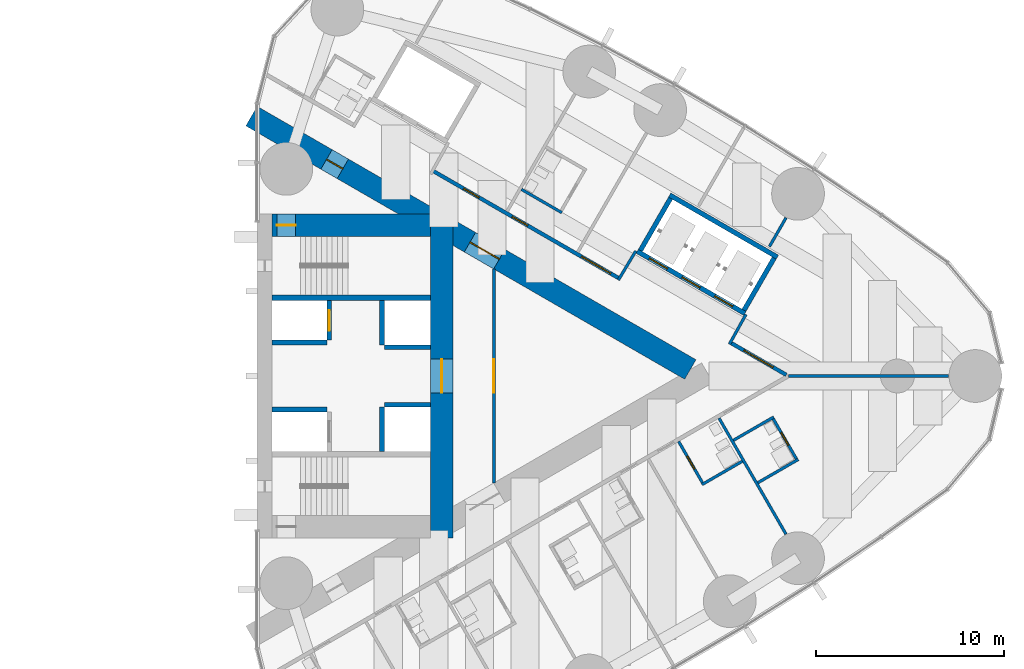
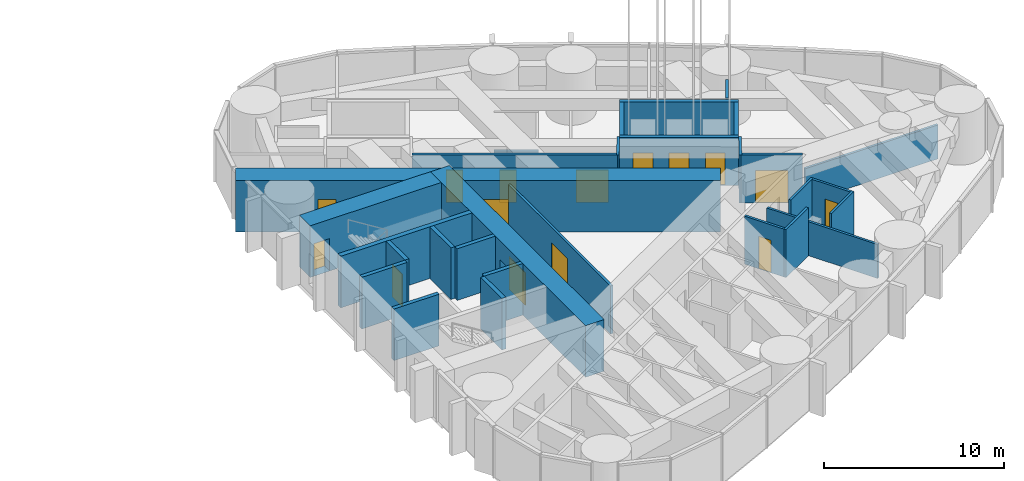
# One storey, part 15 of 21: 29 walls, 15 doors, 15 openings.
"""IFC4 building model written with IfcOpenShell, lengths in metres."""

from ifc_helpers import new_model, si_unit, direction, frame, frame_2d, origin, place, context, subcontext, project, spatial, rectangle, extrude, material, layer, layer_set, type_object, element, fill, save


model = new_model("IFC4")

# Units and contexts
model_context = context("Model", 3, precision=1e-05, world=origin(), true_north=direction((0.0, 1.0)))
body_context = subcontext(model_context, "Body", "Model", "MODEL_VIEW")
ifc_project = project(units=[si_unit("LENGTHUNIT", "METRE"), si_unit("AREAUNIT", "SQUARE_METRE"), si_unit("VOLUMEUNIT", "CUBIC_METRE"), si_unit("PLANEANGLEUNIT", "RADIAN"), si_unit("MASSUNIT", "GRAM", prefix="KILO")], contexts=[model_context])

# Site, building, storey
site_placement = place(None, origin())
site = spatial("IfcSite", under=ifc_project, at=site_placement, CompositionType="ELEMENT")
building_placement = place(site_placement, origin())
building = spatial("IfcBuilding", under=site, at=building_placement, Name="Lancet Gate Hotel", CompositionType="ELEMENT")
storey_placement = place(building_placement, frame((0.0, 0.0, 156.300048828125)))
storey = spatial("IfcBuildingStorey", under=building, at=storey_placement, Name="L41", CompositionType="ELEMENT", Elevation=156.300048828125)

# Wall
ifc_material_1 = material(Name="Moisture resistant board partition")
ifc_layer_1 = layer(ifc_material_1, 0.14990234375)
ifc_layer_set_1 = layer_set([ifc_layer_1], Name="Bathroom wall 150")
wall_type_1 = type_object("IfcWallType", Name="Bathroom wall 150", PredefinedType="PARTITIONING", material=ifc_layer_set_1)
wall_1_placement = place(storey_placement, frame((51.116943359375, -5.76513671875, 0.0), z_axis=(0.0, 0.0, 1.0), x_axis=(0.866006523861, 0.500032699561, 0.0)))
element("IfcWall", 1, at=wall_1_placement, inside=storey, type_object=wall_type_1, Name="T2 bathroom wall 150 L41", PredefinedType="PARTITIONING", context=body_context, shape_type="SweptSolid", body=[
    extrude(rectangle(XDim=2.474853515625, YDim=0.14990234375, at=frame_2d((1.2373046875, 0.0))), origin(), (0.0, 0.0, 1.0), 3.25),
])

# Wall, opening, door
wall_2_placement = place(storey_placement, frame((49.8818359375, -3.475830078125, 0.0), z_axis=(0.0, 0.0, 1.0), x_axis=(0.500006934395, -0.866021400173, 0.0)))
wall_2 = element("IfcWall", 2, at=wall_2_placement, inside=storey, type_object=wall_type_1, Name="T2 bathroom wall 150 L41", PredefinedType="PARTITIONING", context=body_context, shape_type="SweptSolid", body=[
    extrude(rectangle(XDim=2.60009765625, YDim=0.14990234375, at=frame_2d((1.300048828125, 0.0))), origin(), (0.0, 0.0, 1.0), 3.25),
])
opening_1_placement = place(wall_2_placement, frame((0.89990234375, 0.0, 0.0)))
opening_1 = element("IfcOpeningElement", 3, at=opening_1_placement, cuts=wall_2, Name="Opening 4156-B", PredefinedType="OPENING", context=body_context, shape_type="SweptSolid", body=[
    extrude(rectangle(XDim=0.800048828125, YDim=2.199951171875, at=frame_2d((0.39990234375, 1.10009765625))), frame((0.0, 0.0849609375, 0.0), z_axis=(0.0, -1.0, 0.0), x_axis=(1.0, 0.0, 0.0)), (0.0, 0.0, 1.0), 0.169921875),
])
ifc_material_2 = material(Name="Timber door set", Category="wood")
door_type_1 = type_object("IfcDoorType", Name="Bathroom door 800", OperationType="SINGLE_SWING_RIGHT", PredefinedType="DOOR", material=ifc_material_2)
door_1_placement = place(opening_1_placement, origin())
door_1 = element("IfcDoor", 4, at=door_1_placement, inside=storey, type_object=door_type_1, Name="4156-B", OperationType="SINGLE_SWING_RIGHT", OverallHeight=2.199951171875, OverallWidth=0.800048828125, PredefinedType="DOOR", context=body_context, shape_type="SweptSolid", body=[
    extrude(rectangle(XDim=0.800048828125, YDim=2.199951171875, at=frame_2d((0.39990234375, 1.10009765625))), frame((0.0, 0.02490234375, 0.0), z_axis=(0.0, -1.0, 0.0), x_axis=(1.0, 0.0, 0.0)), (0.0, 0.0, 1.0), 0.050048828125),
])
fill(opening_1, door_1)

# Wall
wall_3_placement = place(storey_placement, frame((54.09033203125, -5.6650390625, 0.0), z_axis=(0.0, 0.0, 1.0), x_axis=(0.866006523861, 0.500032699561, 0.0)))
element("IfcWall", 5, at=wall_3_placement, inside=storey, type_object=wall_type_1, Name="T2 bathroom wall 150 L41", PredefinedType="PARTITIONING", context=body_context, shape_type="SweptSolid", body=[
    extrude(rectangle(XDim=2.474853515625, YDim=0.14990234375, at=frame_2d((1.2373046875, 0.0))), origin(), (0.0, 0.0, 1.0), 3.25),
])

# Wall, opening, door
wall_4_placement = place(storey_placement, frame((54.86865234375, -2.21337890625, 0.0), z_axis=(0.0, 0.0, 1.0), x_axis=(0.500047596559, -0.865997922154, 0.0)))
wall_4 = element("IfcWall", 6, at=wall_4_placement, inside=storey, type_object=wall_type_1, Name="T2 bathroom wall 150 L41", PredefinedType="PARTITIONING", context=body_context, shape_type="SweptSolid", body=[
    extrude(rectangle(XDim=2.599853515625, YDim=0.14990234375, at=frame_2d((1.2998046875, 0.0))), origin(), (0.0, 0.0, 1.0), 3.25),
])
opening_2_placement = place(wall_4_placement, frame((0.89990234375, 0.0, 0.0)))
opening_2 = element("IfcOpeningElement", 7, at=opening_2_placement, cuts=wall_4, Name="Opening 4157-B", PredefinedType="OPENING", context=body_context, shape_type="SweptSolid", body=[
    extrude(rectangle(XDim=0.800048828125, YDim=2.199951171875, at=frame_2d((0.39990234375, 1.10009765625))), frame((0.0, 0.0849609375, 0.0), z_axis=(0.0, -1.0, 0.0), x_axis=(1.0, 0.0, 0.0)), (0.0, 0.0, 1.0), 0.169921875),
])
door_2_placement = place(opening_2_placement, origin())
door_2 = element("IfcDoor", 8, at=door_2_placement, inside=storey, type_object=door_type_1, Name="4157-B", OperationType="SINGLE_SWING_RIGHT", OverallHeight=2.199951171875, OverallWidth=0.800048828125, PredefinedType="DOOR", context=body_context, shape_type="SweptSolid", body=[
    extrude(rectangle(XDim=0.800048828125, YDim=2.199951171875, at=frame_2d((0.39990234375, 1.10009765625))), frame((0.0, 0.02490234375, 0.0), z_axis=(0.0, -1.0, 0.0), x_axis=(1.0, 0.0, 0.0)), (0.0, 0.0, 1.0), 0.050048828125),
])
fill(opening_2, door_2)

# Walls
wall_5_placement = place(storey_placement, frame((52.790283203125, -3.413330078125, 0.0), z_axis=(0.0, 0.0, 1.0), x_axis=(0.866006523861, 0.500032699561, 0.0)))
element("IfcWall", 9, at=wall_5_placement, inside=storey, type_object=wall_type_1, Name="T2 bathroom wall 150 L41", PredefinedType="PARTITIONING", context=body_context, shape_type="SweptSolid", body=[
    extrude(rectangle(XDim=2.474853515625, YDim=0.14990234375, at=frame_2d((1.2373046875, 0.0))), origin(), (0.0, 0.0, 1.0), 3.25),
])
wall_6_placement = place(storey_placement, frame((41.5341796875, 9.911865234375, 0.0), z_axis=(0.0, 0.0, 1.0), x_axis=(0.866031185235, -0.4999899861, 0.0)))
element("IfcWall", 10, at=wall_6_placement, inside=storey, type_object=wall_type_1, Name="T2 bathroom wall 150 L41", PredefinedType="PARTITIONING", context=body_context, shape_type="SweptSolid", body=[
    extrude(rectangle(XDim=2.47509765625, YDim=0.14990234375, at=frame_2d((1.237548828125, 0.0))), origin(), (0.0, 0.0, 1.0), 2.449951171875),
])

# Wall, openings, doors
ifc_material_3 = material(Name="Concrete C70/85", Category="concrete")
ifc_layer_2 = layer(ifc_material_3, 1.199951171875)
ifc_layer_set_2 = layer_set([ifc_layer_2], Name="Buttress wall 1200")
wall_type_2 = type_object("IfcWallType", Name="Buttress wall 1200", PredefinedType="SHEAR", material=ifc_layer_set_2)
wall_7_placement = place(storey_placement, frame((27.199951171875, 13.800048828125, 0.0), z_axis=(0.0, 0.0, 1.0), x_axis=(0.866024515034, -0.500001539357, 0.0)))
wall_7 = element("IfcWall", 11, at=wall_7_placement, inside=storey, type_object=wall_type_2, Name="T2 buttress wall N L41", PredefinedType="SHEAR", context=body_context, shape_type="SweptSolid", body=[
    extrude(rectangle(XDim=26.9072265625, YDim=1.199951171875, at=frame_2d((13.45361328125, 0.0))), origin(), (0.0, 0.0, 1.0), 3.5),
])
opening_3_placement = place(wall_7_placement, frame((4.60009765625, 0.0, 0.0)))
opening_3 = element("IfcOpeningElement", 12, at=opening_3_placement, cuts=wall_7, Name="Opening T2-L41-LN", PredefinedType="OPENING", context=body_context, shape_type="SweptSolid", body=[
    extrude(rectangle(XDim=1.0, YDim=2.199951171875, at=frame_2d((0.5, 1.10009765625))), frame((0.0, 0.60986328125, 0.0), z_axis=(0.0, -1.0, 0.0), x_axis=(1.0, 0.0, 0.0)), (0.0, 0.0, 1.0), 1.219970703125),
])
opening_4_placement = place(wall_7_placement, frame((13.39453125, 0.0, 0.0)))
opening_4 = element("IfcOpeningElement", 13, at=opening_4_placement, cuts=wall_7, Name="Opening T2-L41-LHN", PredefinedType="OPENING", context=body_context, shape_type="SweptSolid", body=[
    extrude(rectangle(XDim=1.800048828125, YDim=2.199951171875, at=frame_2d((0.89990234375, 1.10009765625))), frame((0.0, 0.60986328125, 0.0), z_axis=(0.0, -1.0, 0.0), x_axis=(1.0, 0.0, 0.0)), (0.0, 0.0, 1.0), 1.219970703125),
])
ifc_material_4 = material(Name="Timber door set", Category="wood")
door_type_2 = type_object("IfcDoorType", Name="Lobby double door 1800", OperationType="DOUBLE_DOOR_SINGLE_SWING", PredefinedType="DOOR", material=ifc_material_4)
door_3_placement = place(opening_4_placement, origin())
door_3 = element("IfcDoor", 14, at=door_3_placement, inside=storey, type_object=door_type_2, Name="T2-L41-LHN", OperationType="DOUBLE_DOOR_SINGLE_SWING", OverallHeight=2.199951171875, OverallWidth=1.800048828125, PredefinedType="DOOR", context=body_context, shape_type="SweptSolid", body=[
    extrude(rectangle(XDim=1.800048828125, YDim=2.199951171875, at=frame_2d((0.89990234375, 1.10009765625))), frame((0.0, 0.02490234375, 0.0), z_axis=(0.0, -1.0, 0.0), x_axis=(1.0, 0.0, 0.0)), (0.0, 0.0, 1.0), 0.050048828125),
])
fill(opening_4, door_3)
ifc_material_5 = material(Name="Timber door set", Category="wood")
door_type_3 = type_object("IfcDoorType", Name="Stair lobby door 1000", OperationType="SINGLE_SWING_LEFT", PredefinedType="DOOR", material=ifc_material_5)
door_4_placement = place(opening_3_placement, origin())
door_4 = element("IfcDoor", 15, at=door_4_placement, inside=storey, type_object=door_type_3, Name="T2-L41-LN", OperationType="SINGLE_SWING_LEFT", OverallHeight=2.199951171875, OverallWidth=1.0, PredefinedType="DOOR", context=body_context, shape_type="SweptSolid", body=[
    extrude(rectangle(XDim=1.0, YDim=2.199951171875, at=frame_2d((0.5, 1.10009765625))), frame((0.0, 0.02490234375, 0.0), z_axis=(0.0, -1.0, 0.0), x_axis=(1.0, 0.0, 0.0)), (0.0, 0.0, 1.0), 0.050048828125),
])
fill(opening_3, door_4)

# Wall, opening, door
ifc_material_6 = material(Name="Concrete C70/85", Category="concrete")
ifc_layer_3 = layer(ifc_material_6, 1.199951171875)
ifc_layer_set_3 = layer_set([ifc_layer_3], Name="Core wall 1200")
wall_type_3 = type_object("IfcWallType", Name="Core wall 1200", PredefinedType="SHEAR", material=ifc_layer_set_3)
wall_8_placement = place(storey_placement, frame((37.300048828125, -8.60009765625, 0.0), z_axis=(0.0, 0.0, 1.0), x_axis=(0.0, 1.0, 0.0)))
wall_8 = element("IfcWall", 16, at=wall_8_placement, inside=storey, type_object=wall_type_3, Name="T2 core wall back L41", PredefinedType="SHEAR", context=body_context, shape_type="SweptSolid", body=[
    extrude(rectangle(XDim=17.2001953125, YDim=1.199951171875, at=frame_2d((8.60009765625, 0.0))), origin(), (0.0, 0.0, 1.0), 3.5),
])
opening_5_placement = place(wall_8_placement, frame((7.699951171875, 0.0, 0.0)))
opening_5 = element("IfcOpeningElement", 17, at=opening_5_placement, cuts=wall_8, Name="Opening T2-L41-LL", PredefinedType="OPENING", context=body_context, shape_type="SweptSolid", body=[
    extrude(rectangle(XDim=1.800048828125, YDim=2.199951171875, at=frame_2d((0.89990234375, 1.10009765625))), frame((0.0, 0.60986328125, 0.0), z_axis=(0.0, -1.0, 0.0), x_axis=(1.0, 0.0, 0.0)), (0.0, 0.0, 1.0), 1.219970703125),
])
door_5_placement = place(opening_5_placement, origin())
door_5 = element("IfcDoor", 18, at=door_5_placement, inside=storey, type_object=door_type_2, Name="T2-L41-LL", OperationType="DOUBLE_DOOR_SINGLE_SWING", OverallHeight=2.199951171875, OverallWidth=1.800048828125, PredefinedType="DOOR", context=body_context, shape_type="SweptSolid", body=[
    extrude(rectangle(XDim=1.800048828125, YDim=2.199951171875, at=frame_2d((0.89990234375, 1.10009765625))), frame((0.0, 0.02490234375, 0.0), z_axis=(0.0, -1.0, 0.0), x_axis=(1.0, 0.0, 0.0)), (0.0, 0.0, 1.0), 0.050048828125),
])
fill(opening_5, door_5)

wall_9_placement = place(storey_placement, frame((28.300048828125, 8.0, 0.0), z_axis=(0.0, 0.0, 1.0), x_axis=(1.0, 0.0, 0.0)))
wall_9 = element("IfcWall", 19, at=wall_9_placement, inside=storey, type_object=wall_type_3, Name="T2 core wall side-N L41", PredefinedType="SHEAR", context=body_context, shape_type="SweptSolid", body=[
    extrude(rectangle(XDim=8.39990234375, YDim=1.199951171875, at=frame_2d((4.199951171875, 0.0))), origin(), (0.0, 0.0, 1.0), 3.5),
])
opening_6_placement = place(wall_9_placement, frame((0.25, 0.0, 0.0)))
opening_6 = element("IfcOpeningElement", 20, at=opening_6_placement, cuts=wall_9, Name="Opening T2-L41-ST2", PredefinedType="OPENING", context=body_context, shape_type="SweptSolid", body=[
    extrude(rectangle(XDim=1.0, YDim=2.199951171875, at=frame_2d((0.5, 1.10009765625))), frame((0.0, 0.60986328125, 0.0), z_axis=(0.0, -1.0, 0.0), x_axis=(1.0, 0.0, 0.0)), (0.0, 0.0, 1.0), 1.219970703125),
])
ifc_material_7 = material(Name="Timber door set", Category="wood")
door_type_4 = type_object("IfcDoorType", Name="Stair door 1000", OperationType="SINGLE_SWING_RIGHT", PredefinedType="DOOR", material=ifc_material_7)
door_6_placement = place(opening_6_placement, origin())
door_6 = element("IfcDoor", 21, at=door_6_placement, inside=storey, type_object=door_type_4, Name="T2-L41-ST2", OperationType="SINGLE_SWING_RIGHT", OverallHeight=2.199951171875, OverallWidth=1.0, PredefinedType="DOOR", context=body_context, shape_type="SweptSolid", body=[
    extrude(rectangle(XDim=1.0, YDim=2.199951171875, at=frame_2d((0.5, 1.10009765625))), frame((0.0, 0.02490234375, 0.0), z_axis=(0.0, -1.0, 0.0), x_axis=(1.0, 0.0, 0.0)), (0.0, 0.0, 1.0), 0.050048828125),
])
fill(opening_6, door_6)

# Wall, openings, doors
ifc_material_8 = material(Name="Gypsum board partition")
ifc_layer_4 = layer(ifc_material_8, 0.199951171875)
ifc_layer_set_4 = layer_set([ifc_layer_4], Name="Corridor wall 200")
wall_type_4 = type_object("IfcWallType", Name="Corridor wall 200", PredefinedType="PARTITIONING", material=ifc_layer_set_4)
wall_10_placement = place(storey_placement, frame((36.833984375, 10.8935546875, 0.0), z_axis=(0.0, 0.0, 1.0), x_axis=(0.866031655879, -0.499989170898, 0.0)))
wall_10 = element("IfcWall", 22, at=wall_10_placement, inside=storey, type_object=wall_type_4, Name="T2 corridor wall 200 L41", PredefinedType="PARTITIONING", context=body_context, shape_type="SweptSolid", body=[
    extrude(rectangle(XDim=11.409912109375, YDim=0.199951171875, at=frame_2d((5.705078125, 0.0))), origin(), (0.0, 0.0, 1.0), 3.25),
])
opening_7_placement = place(wall_10_placement, frame((4.861328125, 0.0, 0.0)))
opening_7 = element("IfcOpeningElement", 23, at=opening_7_placement, cuts=wall_10, Name="Opening 4161-E", PredefinedType="OPENING", context=body_context, shape_type="SweptSolid", body=[
    extrude(rectangle(XDim=0.949951171875, YDim=2.199951171875, at=frame_2d((0.47509765625, 1.10009765625))), frame((0.0, 0.10986328125, 0.0), z_axis=(0.0, -1.0, 0.0), x_axis=(1.0, 0.0, 0.0)), (0.0, 0.0, 1.0), 0.219970703125),
])
opening_8_placement = place(wall_10_placement, frame((1.880615234375, 0.0, 0.0)))
opening_8 = element("IfcOpeningElement", 24, at=opening_8_placement, cuts=wall_10, Name="Opening 4162-E", PredefinedType="OPENING", context=body_context, shape_type="SweptSolid", body=[
    extrude(rectangle(XDim=0.949951171875, YDim=2.199951171875, at=frame_2d((0.47509765625, 1.10009765625))), frame((0.0, 0.10986328125, 0.0), z_axis=(0.0, -1.0, 0.0), x_axis=(1.0, 0.0, 0.0)), (0.0, 0.0, 1.0), 0.219970703125),
])
opening_9_placement = place(wall_10_placement, frame((9.101806640625, 0.0, 0.0)))
opening_9 = element("IfcOpeningElement", 25, at=opening_9_placement, cuts=wall_10, Name="Opening T2-L41-LO2", PredefinedType="OPENING", context=body_context, shape_type="SweptSolid", body=[
    extrude(rectangle(XDim=1.800048828125, YDim=2.199951171875, at=frame_2d((0.89990234375, 1.10009765625))), frame((0.0, 0.10986328125, 0.0), z_axis=(0.0, -1.0, 0.0), x_axis=(1.0, 0.0, 0.0)), (0.0, 0.0, 1.0), 0.219970703125),
])
ifc_material_9 = material(Name="Timber door set", Category="wood")
door_type_5 = type_object("IfcDoorType", Name="Double door 1800", OperationType="DOUBLE_DOOR_SINGLE_SWING", PredefinedType="DOOR", material=ifc_material_9)
door_7_placement = place(opening_9_placement, origin())
door_7 = element("IfcDoor", 26, at=door_7_placement, inside=storey, type_object=door_type_5, Name="T2-L41-LO2", OperationType="DOUBLE_DOOR_SINGLE_SWING", OverallHeight=2.199951171875, OverallWidth=1.800048828125, PredefinedType="DOOR", context=body_context, shape_type="SweptSolid", body=[
    extrude(rectangle(XDim=1.800048828125, YDim=2.199951171875, at=frame_2d((0.89990234375, 1.10009765625))), frame((0.0, 0.02490234375, 0.0), z_axis=(0.0, -1.0, 0.0), x_axis=(1.0, 0.0, 0.0)), (0.0, 0.0, 1.0), 0.050048828125),
])
fill(opening_9, door_7)
ifc_material_10 = material(Name="Timber door set", Category="wood")
door_type_6 = type_object("IfcDoorType", Name="Guest room entry door 950", OperationType="SINGLE_SWING_LEFT", PredefinedType="DOOR", material=ifc_material_10)
door_8_placement = place(opening_7_placement, origin())
door_8 = element("IfcDoor", 27, at=door_8_placement, inside=storey, type_object=door_type_6, Name="4161-E", OperationType="SINGLE_SWING_LEFT", OverallHeight=2.199951171875, OverallWidth=0.949951171875, PredefinedType="DOOR", context=body_context, shape_type="SweptSolid", body=[
    extrude(rectangle(XDim=0.949951171875, YDim=2.199951171875, at=frame_2d((0.47509765625, 1.10009765625))), frame((0.0, 0.02490234375, 0.0), z_axis=(0.0, -1.0, 0.0), x_axis=(1.0, 0.0, 0.0)), (0.0, 0.0, 1.0), 0.050048828125),
])
fill(opening_7, door_8)
door_9_placement = place(opening_8_placement, origin())
door_9 = element("IfcDoor", 28, at=door_9_placement, inside=storey, type_object=door_type_6, Name="4162-E", OperationType="SINGLE_SWING_LEFT", OverallHeight=2.199951171875, OverallWidth=0.949951171875, PredefinedType="DOOR", context=body_context, shape_type="SweptSolid", body=[
    extrude(rectangle(XDim=0.949951171875, YDim=2.199951171875, at=frame_2d((0.47509765625, 1.10009765625))), frame((0.0, 0.02490234375, 0.0), z_axis=(0.0, -1.0, 0.0), x_axis=(1.0, 0.0, 0.0)), (0.0, 0.0, 1.0), 0.050048828125),
])
fill(opening_8, door_9)

# Wall, opening, door
wall_11_placement = place(storey_placement, frame((52.63916015625, 1.7685546875, 0.0), z_axis=(0.0, 0.0, 1.0), x_axis=(0.866027340901, -0.4999966448, 0.0)))
wall_11 = element("IfcWall", 29, at=wall_11_placement, inside=storey, type_object=wall_type_4, Name="T2 corridor wall 200 L41", PredefinedType="PARTITIONING", context=body_context, shape_type="SweptSolid", body=[
    extrude(rectangle(XDim=3.4169921875, YDim=0.199951171875, at=frame_2d((1.70849609375, 0.0))), origin(), (0.0, 0.0, 1.0), 3.25),
])
opening_10_placement = place(wall_11_placement, frame((0.80859375, 0.0, 0.0)))
opening_10 = element("IfcOpeningElement", 30, at=opening_10_placement, cuts=wall_11, Name="Opening T2-L41-LO1", PredefinedType="OPENING", context=body_context, shape_type="SweptSolid", body=[
    extrude(rectangle(XDim=1.800048828125, YDim=2.199951171875, at=frame_2d((0.89990234375, 1.10009765625))), frame((0.0, 0.10986328125, 0.0), z_axis=(0.0, -1.0, 0.0), x_axis=(1.0, 0.0, 0.0)), (0.0, 0.0, 1.0), 0.219970703125),
])
door_10_placement = place(opening_10_placement, origin())
door_10 = element("IfcDoor", 31, at=door_10_placement, inside=storey, type_object=door_type_5, Name="T2-L41-LO1", OperationType="DOUBLE_DOOR_SINGLE_SWING", OverallHeight=2.199951171875, OverallWidth=1.800048828125, PredefinedType="DOOR", context=body_context, shape_type="SweptSolid", body=[
    extrude(rectangle(XDim=1.800048828125, YDim=2.199951171875, at=frame_2d((0.89990234375, 1.10009765625))), frame((0.0, 0.02490234375, 0.0), z_axis=(0.0, -1.0, 0.0), x_axis=(1.0, 0.0, 0.0)), (0.0, 0.0, 1.0), 0.050048828125),
])
fill(opening_10, door_10)

# Wall, openings, doors
ifc_material_11 = material(Name="Gypsum board partition")
ifc_layer_5 = layer(ifc_material_11, 0.25)
ifc_layer_set_5 = layer_set([ifc_layer_5], Name="Lift shaft partition 250")
wall_type_5 = type_object("IfcWallType", Name="Lift shaft partition 250", PredefinedType="PARTITIONING", material=ifc_layer_set_5)
wall_12_placement = place(storey_placement, frame((47.681396484375, 6.622314453125, 0.0), z_axis=(0.0, 0.0, 1.0), x_axis=(0.86603344179, -0.499986077507, 0.0)))
wall_12 = element("IfcWall", 32, at=wall_12_placement, inside=storey, type_object=wall_type_5, Name="T2 lift shaft wall HL L41", PredefinedType="PARTITIONING", context=body_context, shape_type="SweptSolid", body=[
    extrude(rectangle(XDim=6.600341796875, YDim=0.25, at=frame_2d((3.30029296875, 0.0))), origin(), (0.0, 0.0, 1.0), 3.25),
])
opening_11_placement = place(wall_12_placement, frame((0.75, 0.0, 0.0)))
opening_11 = element("IfcOpeningElement", 33, at=opening_11_placement, cuts=wall_12, Name="Opening T2-HL1-L41", PredefinedType="OPENING", context=body_context, shape_type="SweptSolid", body=[
    extrude(rectangle(XDim=1.10009765625, YDim=2.199951171875, at=frame_2d((0.550048828125, 1.10009765625))), frame((0.0, 0.135009765625, 0.0), z_axis=(0.0, -1.0, 0.0), x_axis=(1.0, 0.0, 0.0)), (0.0, 0.0, 1.0), 0.27001953125),
])
opening_12_placement = place(wall_12_placement, frame((2.75, 0.0, 0.0)))
opening_12 = element("IfcOpeningElement", 34, at=opening_12_placement, cuts=wall_12, Name="Opening T2-HL2-L41", PredefinedType="OPENING", context=body_context, shape_type="SweptSolid", body=[
    extrude(rectangle(XDim=1.10009765625, YDim=2.199951171875, at=frame_2d((0.550048828125, 1.10009765625))), frame((0.0, 0.135009765625, 0.0), z_axis=(0.0, -1.0, 0.0), x_axis=(1.0, 0.0, 0.0)), (0.0, 0.0, 1.0), 0.27001953125),
])
opening_13_placement = place(wall_12_placement, frame((4.75, 0.0, 0.0)))
opening_13 = element("IfcOpeningElement", 35, at=opening_13_placement, cuts=wall_12, Name="Opening T2-HL3-L41", PredefinedType="OPENING", context=body_context, shape_type="SweptSolid", body=[
    extrude(rectangle(XDim=1.10009765625, YDim=2.199951171875, at=frame_2d((0.550048828125, 1.10009765625))), frame((0.0, 0.135009765625, 0.0), z_axis=(0.0, -1.0, 0.0), x_axis=(1.0, 0.0, 0.0)), (0.0, 0.0, 1.0), 0.27001953125),
])
ifc_material_12 = material(Name="Steel door set", Category="steel")
door_type_7 = type_object("IfcDoorType", Name="Lift landing door 1100", OperationType="DOUBLE_DOOR_SLIDING", PredefinedType="USERDEFINED", material=ifc_material_12)
door_11_placement = place(opening_11_placement, origin())
door_11 = element("IfcDoor", 36, at=door_11_placement, inside=storey, type_object=door_type_7, Name="T2-HL1-L41", ObjectType="LIFT LANDING DOOR", OperationType="DOUBLE_DOOR_SLIDING", OverallHeight=2.199951171875, OverallWidth=1.10009765625, PredefinedType="USERDEFINED", context=body_context, shape_type="SweptSolid", body=[
    extrude(rectangle(XDim=1.10009765625, YDim=2.199951171875, at=frame_2d((0.550048828125, 1.10009765625))), frame((0.0, 0.02490234375, 0.0), z_axis=(0.0, -1.0, 0.0), x_axis=(1.0, 0.0, 0.0)), (0.0, 0.0, 1.0), 0.050048828125),
])
fill(opening_11, door_11)
door_12_placement = place(opening_12_placement, origin())
door_12 = element("IfcDoor", 37, at=door_12_placement, inside=storey, type_object=door_type_7, Name="T2-HL2-L41", ObjectType="LIFT LANDING DOOR", OperationType="DOUBLE_DOOR_SLIDING", OverallHeight=2.199951171875, OverallWidth=1.10009765625, PredefinedType="USERDEFINED", context=body_context, shape_type="SweptSolid", body=[
    extrude(rectangle(XDim=1.10009765625, YDim=2.199951171875, at=frame_2d((0.550048828125, 1.10009765625))), frame((0.0, 0.02490234375, 0.0), z_axis=(0.0, -1.0, 0.0), x_axis=(1.0, 0.0, 0.0)), (0.0, 0.0, 1.0), 0.050048828125),
])
fill(opening_12, door_12)
door_13_placement = place(opening_13_placement, origin())
door_13 = element("IfcDoor", 38, at=door_13_placement, inside=storey, type_object=door_type_7, Name="T2-HL3-L41", ObjectType="LIFT LANDING DOOR", OperationType="DOUBLE_DOOR_SLIDING", OverallHeight=2.199951171875, OverallWidth=1.10009765625, PredefinedType="USERDEFINED", context=body_context, shape_type="SweptSolid", body=[
    extrude(rectangle(XDim=1.10009765625, YDim=2.199951171875, at=frame_2d((0.550048828125, 1.10009765625))), frame((0.0, 0.02490234375, 0.0), z_axis=(0.0, -1.0, 0.0), x_axis=(1.0, 0.0, 0.0)), (0.0, 0.0, 1.0), 0.050048828125),
])
fill(opening_13, door_13)

# Walls
wall_13_placement = place(storey_placement, frame((49.406494140625, 9.61083984375, 0.0), z_axis=(0.0, 0.0, 1.0), x_axis=(0.86603344179, -0.499986077507, 0.0)))
element("IfcWall", 39, at=wall_13_placement, inside=storey, type_object=wall_type_5, Name="T2 lift shaft wall HL L41", PredefinedType="PARTITIONING", context=body_context, shape_type="SweptSolid", body=[
    extrude(rectangle(XDim=6.600341796875, YDim=0.25, at=frame_2d((3.30029296875, 0.0))), origin(), (0.0, 0.0, 1.0), 3.25),
])
wall_14_placement = place(storey_placement, frame((47.852294921875, 6.66796875, 0.0), z_axis=(0.0, 0.0, 1.0), x_axis=(0.499929347863, 0.866066190972, 0.0)))
element("IfcWall", 40, at=wall_14_placement, inside=storey, type_object=wall_type_5, Name="T2 lift shaft wall HL L41", PredefinedType="PARTITIONING", context=body_context, shape_type="SweptSolid", body=[
    extrude(rectangle(XDim=3.20068359375, YDim=0.25, at=frame_2d((1.600341796875, 0.0))), origin(), (0.0, 0.0, 1.0), 3.25),
])
wall_15_placement = place(storey_placement, frame((53.351806640625, 3.492919921875, 0.0), z_axis=(0.0, 0.0, 1.0), x_axis=(0.499872130319, 0.866099216793, 0.0)))
element("IfcWall", 41, at=wall_15_placement, inside=storey, type_object=wall_type_5, Name="T2 lift shaft wall HL L41", PredefinedType="PARTITIONING", context=body_context, shape_type="SweptSolid", body=[
    extrude(rectangle(XDim=3.200439453125, YDim=0.25, at=frame_2d((1.60009765625, 0.0))), origin(), (0.0, 0.0, 1.0), 3.25),
])
ifc_material_13 = material(Name="Concrete C50/60", Category="concrete")
ifc_layer_6 = layer(ifc_material_13, 0.25)
ifc_layer_set_6 = layer_set([ifc_layer_6], Name="Lift shaft wall 250")
wall_type_6 = type_object("IfcWallType", Name="Lift shaft wall 250", PredefinedType="SHEAR", material=ifc_layer_set_6)
wall_16_placement = place(storey_placement, frame((34.125, -4.0, 0.0), z_axis=(0.0, 0.0, 1.0), x_axis=(0.0, 1.0, 0.0)))
element("IfcWall", 42, at=wall_16_placement, inside=storey, type_object=wall_type_6, Name="T2 core wall row2-S L41", PredefinedType="SHEAR", context=body_context, shape_type="SweptSolid", body=[
    extrude(rectangle(XDim=2.35009765625, YDim=0.25, at=frame_2d((1.175048828125, 0.0))), origin(), (0.0, 0.0, 1.0), 3.5),
])
wall_17_placement = place(storey_placement, frame((28.300048828125, -1.77490234375, 0.0), z_axis=(0.0, 0.0, 1.0), x_axis=(1.0, 0.0, 0.0)))
element("IfcWall", 43, at=wall_17_placement, inside=storey, type_object=wall_type_6, Name="T2 core wall pass1-S L41", PredefinedType="SHEAR", context=body_context, shape_type="SweptSolid", body=[
    extrude(rectangle(XDim=2.89990234375, YDim=0.25, at=frame_2d((1.449951171875, 0.0))), origin(), (0.0, 0.0, 1.0), 3.5),
])
wall_18_placement = place(storey_placement, frame((34.25, -1.52490234375, 0.0), z_axis=(0.0, 0.0, 1.0), x_axis=(1.0, 0.0, 0.0)))
element("IfcWall", 44, at=wall_18_placement, inside=storey, type_object=wall_type_6, Name="T2 core wall pass2-S L41", PredefinedType="SHEAR", context=body_context, shape_type="SweptSolid", body=[
    extrude(rectangle(XDim=2.449951171875, YDim=0.25, at=frame_2d((1.22509765625, 0.0))), origin(), (0.0, 0.0, 1.0), 3.5),
])

# Wall, opening, door
wall_19_placement = place(storey_placement, frame((31.324951171875, 1.89990234375, 0.0), z_axis=(0.0, 0.0, 1.0), x_axis=(0.0, 1.0, 0.0)))
wall_19 = element("IfcWall", 45, at=wall_19_placement, inside=storey, type_object=wall_type_6, Name="T2 core wall row1-N L41", PredefinedType="SHEAR", context=body_context, shape_type="SweptSolid", body=[
    extrude(rectangle(XDim=2.10009765625, YDim=0.25, at=frame_2d((1.050048828125, 0.0))), origin(), (0.0, 0.0, 1.0), 3.5),
])
opening_14_placement = place(wall_19_placement, frame((0.5, 0.0, 0.0)))
opening_14 = element("IfcOpeningElement", 46, at=opening_14_placement, cuts=wall_19, Name="Opening T2-FL2-L41", PredefinedType="OPENING", context=body_context, shape_type="SweptSolid", body=[
    extrude(rectangle(XDim=1.10009765625, YDim=2.199951171875, at=frame_2d((0.550048828125, 1.10009765625))), frame((0.0, 0.135009765625, 0.0), z_axis=(0.0, -1.0, 0.0), x_axis=(1.0, 0.0, 0.0)), (0.0, 0.0, 1.0), 0.27001953125),
])
ifc_material_14 = material(Name="Steel door set", Category="steel")
door_type_8 = type_object("IfcDoorType", Name="Firefighting lift landing door 1100", OperationType="SLIDING_TO_LEFT", PredefinedType="USERDEFINED", material=ifc_material_14)
door_14_placement = place(opening_14_placement, origin())
door_14 = element("IfcDoor", 47, at=door_14_placement, inside=storey, type_object=door_type_8, Name="T2-FL2-L41", ObjectType="LIFT LANDING DOOR", OperationType="SLIDING_TO_LEFT", OverallHeight=2.199951171875, OverallWidth=1.10009765625, PredefinedType="USERDEFINED", context=body_context, shape_type="SweptSolid", body=[
    extrude(rectangle(XDim=1.10009765625, YDim=2.199951171875, at=frame_2d((0.550048828125, 1.10009765625))), frame((0.0, 0.02490234375, 0.0), z_axis=(0.0, -1.0, 0.0), x_axis=(1.0, 0.0, 0.0)), (0.0, 0.0, 1.0), 0.050048828125),
])
fill(opening_14, door_14)

# Walls
wall_20_placement = place(storey_placement, frame((34.125, 1.64990234375, 0.0), z_axis=(0.0, 0.0, 1.0), x_axis=(0.0, 1.0, 0.0)))
element("IfcWall", 48, at=wall_20_placement, inside=storey, type_object=wall_type_6, Name="T2 core wall row2-N L41", PredefinedType="SHEAR", context=body_context, shape_type="SweptSolid", body=[
    extrude(rectangle(XDim=2.35009765625, YDim=0.25, at=frame_2d((1.175048828125, 0.0))), origin(), (0.0, 0.0, 1.0), 3.5),
])
wall_21_placement = place(storey_placement, frame((28.300048828125, 1.77490234375, 0.0), z_axis=(0.0, 0.0, 1.0), x_axis=(1.0, 0.0, 0.0)))
element("IfcWall", 49, at=wall_21_placement, inside=storey, type_object=wall_type_6, Name="T2 core wall pass1-N L41", PredefinedType="SHEAR", context=body_context, shape_type="SweptSolid", body=[
    extrude(rectangle(XDim=2.89990234375, YDim=0.25, at=frame_2d((1.449951171875, 0.0))), origin(), (0.0, 0.0, 1.0), 3.5),
])
wall_22_placement = place(storey_placement, frame((34.25, 1.52490234375, 0.0), z_axis=(0.0, 0.0, 1.0), x_axis=(1.0, 0.0, 0.0)))
element("IfcWall", 50, at=wall_22_placement, inside=storey, type_object=wall_type_6, Name="T2 core wall pass2-N L41", PredefinedType="SHEAR", context=body_context, shape_type="SweptSolid", body=[
    extrude(rectangle(XDim=2.449951171875, YDim=0.25, at=frame_2d((1.22509765625, 0.0))), origin(), (0.0, 0.0, 1.0), 3.5),
])
ifc_material_15 = material(Name="Gypsum board partition")
ifc_layer_7 = layer(ifc_material_15, 0.14990234375)
ifc_layer_set_7 = layer_set([ifc_layer_7], Name="Party wall 150")
wall_type_7 = type_object("IfcWallType", Name="Party wall 150", PredefinedType="PARTITIONING", material=ifc_layer_set_7)
wall_23_placement = place(storey_placement, frame((52.025390625, -2.23828125, 0.0), z_axis=(0.0, 0.0, 1.0), x_axis=(0.499983785035, -0.866034765296, 0.0)))
element("IfcWall", 51, at=wall_23_placement, inside=storey, type_object=wall_type_7, Name="T2 party wall 150 L41", PredefinedType="PARTITIONING", context=body_context, shape_type="SweptSolid", body=[
    extrude(rectangle(XDim=7.116455078125, YDim=0.14990234375, at=frame_2d((3.55810546875, 0.0))), origin(), (0.0, 0.0, 1.0), 2.300048828125),
])
wall_24_placement = place(storey_placement, frame((55.7021484375, 0.0, 0.0), z_axis=(0.0, 0.0, 1.0), x_axis=(1.0, 0.0, 0.0)))
element("IfcWall", 52, at=wall_24_placement, inside=storey, type_object=wall_type_7, Name="T2 party wall 150 L41", PredefinedType="PARTITIONING", context=body_context, shape_type="SweptSolid", body=[
    extrude(rectangle(XDim=8.517578125, YDim=0.14990234375, at=frame_2d((4.2587890625, 0.0))), origin(), (0.0, 0.0, 1.0), 2.300048828125),
])
wall_25_placement = place(storey_placement, frame((54.700439453125, 6.871826171875, 0.0), z_axis=(0.0, 0.0, 1.0), x_axis=(0.499989690894, 0.866031355668, 0.0)))
element("IfcWall", 53, at=wall_25_placement, inside=storey, type_object=wall_type_7, Name="T2 party wall 150 L41", PredefinedType="PARTITIONING", context=body_context, shape_type="SweptSolid", body=[
    extrude(rectangle(XDim=1.76611328125, YDim=0.14990234375, at=frame_2d((0.883056640625, 0.0))), origin(), (0.0, 0.0, 1.0), 3.25),
])
ifc_material_16 = material(Name="Gypsum board partition")
ifc_layer_8 = layer(ifc_material_16, 0.14990234375)
ifc_layer_set_8 = layer_set([ifc_layer_8], Name="Service room wall 150")
wall_type_8 = type_object("IfcWallType", Name="Service room wall 150", PredefinedType="PARTITIONING", material=ifc_layer_set_8)
for number, where, z_axis, x_axis, name in (
    (54, (52.576171875, 1.689453125, 0.0), (0.0, 0.0, 1.0), (0.485482130951, 0.874246590229, 0.0), "T2 service room wall 150 L41"),
    (55, (47.6064453125, 6.642578125, 0.0), (0.0, 0.0, 1.0), (-0.514237157483, -0.857648031458, 0.0), "T2 service room wall 150 L41"),
):
    element("IfcWall", number, at=place(storey_placement, frame(where, z_axis=z_axis, x_axis=x_axis)), inside=storey, type_object=wall_type_8, Name=name, PredefinedType="PARTITIONING", context=body_context, shape_type="SweptSolid", body=[
        extrude(rectangle(XDim=1.804931640625, YDim=0.14990234375, at=frame_2d((0.90234375, 0.0))), origin(), (0.0, 0.0, 1.0), 3.25),
    ])

# Wall, opening, door
wall_26_placement = place(storey_placement, frame((40.074951171875, -5.673828125, 0.0), z_axis=(0.0, 0.0, 1.0), x_axis=(0.0, 1.0, 0.0)))
wall_26 = element("IfcWall", 56, at=wall_26_placement, inside=storey, type_object=wall_type_8, Name="T2 service room wall 150 L41", PredefinedType="PARTITIONING", context=body_context, shape_type="SweptSolid", body=[
    extrude(rectangle(XDim=11.34765625, YDim=0.14990234375, at=frame_2d((5.673828125, 0.0))), origin(), (0.0, 0.0, 1.0), 3.25),
])
opening_15_placement = place(wall_26_placement, frame((4.773681640625, 0.0, 0.0)))
opening_15 = element("IfcOpeningElement", 57, at=opening_15_placement, cuts=wall_26, Name="Opening T2-L41-LH", PredefinedType="OPENING", context=body_context, shape_type="SweptSolid", body=[
    extrude(rectangle(XDim=1.800048828125, YDim=2.199951171875, at=frame_2d((0.89990234375, 1.10009765625))), frame((0.0, 0.0849609375, 0.0), z_axis=(0.0, -1.0, 0.0), x_axis=(1.0, 0.0, 0.0)), (0.0, 0.0, 1.0), 0.169921875),
])
door_15_placement = place(opening_15_placement, origin())
door_15 = element("IfcDoor", 58, at=door_15_placement, inside=storey, type_object=door_type_2, Name="T2-L41-LH", OperationType="DOUBLE_DOOR_SINGLE_SWING", OverallHeight=2.199951171875, OverallWidth=1.800048828125, PredefinedType="DOOR", context=body_context, shape_type="SweptSolid", body=[
    extrude(rectangle(XDim=1.800048828125, YDim=2.199951171875, at=frame_2d((0.89990234375, 1.10009765625))), frame((0.0, 0.02490234375, 0.0), z_axis=(0.0, -1.0, 0.0), x_axis=(1.0, 0.0, 0.0)), (0.0, 0.0, 1.0), 0.050048828125),
])
fill(opening_15, door_15)

# Wall
ifc_material_17 = material(Name="Concrete C50/60", Category="concrete")
ifc_layer_9 = layer(ifc_material_17, 0.300048828125)
ifc_layer_set_9 = layer_set([ifc_layer_9], Name="Stair enclosure wall 300")
wall_type_9 = type_object("IfcWallType", Name="Stair enclosure wall 300", PredefinedType="SHEAR", material=ifc_layer_set_9)
wall_27_placement = place(storey_placement, frame((28.300048828125, 4.14990234375, 0.0), z_axis=(0.0, 0.0, 1.0), x_axis=(1.0, 0.0, 0.0)))
element("IfcWall", 59, at=wall_27_placement, inside=storey, type_object=wall_type_9, Name="T2 core wall stair-N L41", PredefinedType="SHEAR", context=body_context, shape_type="SweptSolid", body=[
    extrude(rectangle(XDim=8.39990234375, YDim=0.300048828125, at=frame_2d((4.199951171875, 0.0))), origin(), (0.0, 0.0, 1.0), 3.5),
])

save(model, "model.ifc")
